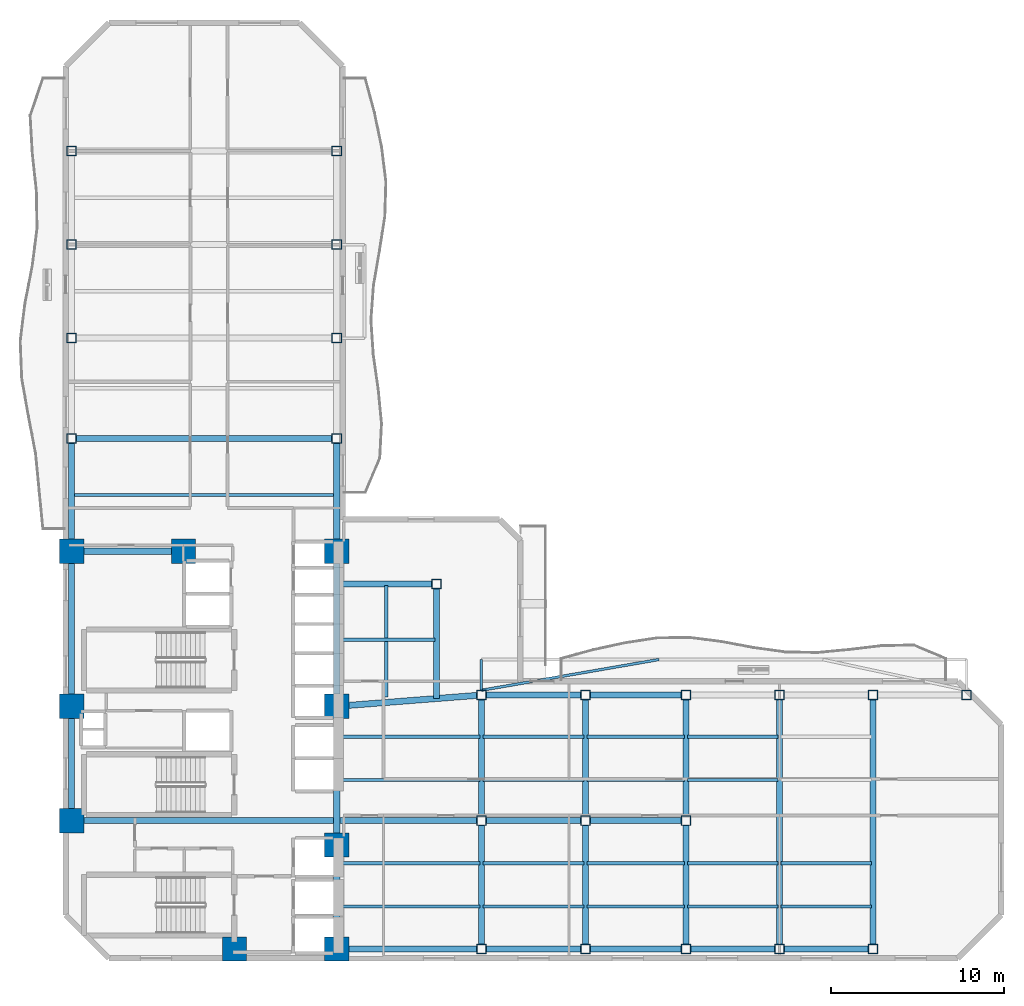
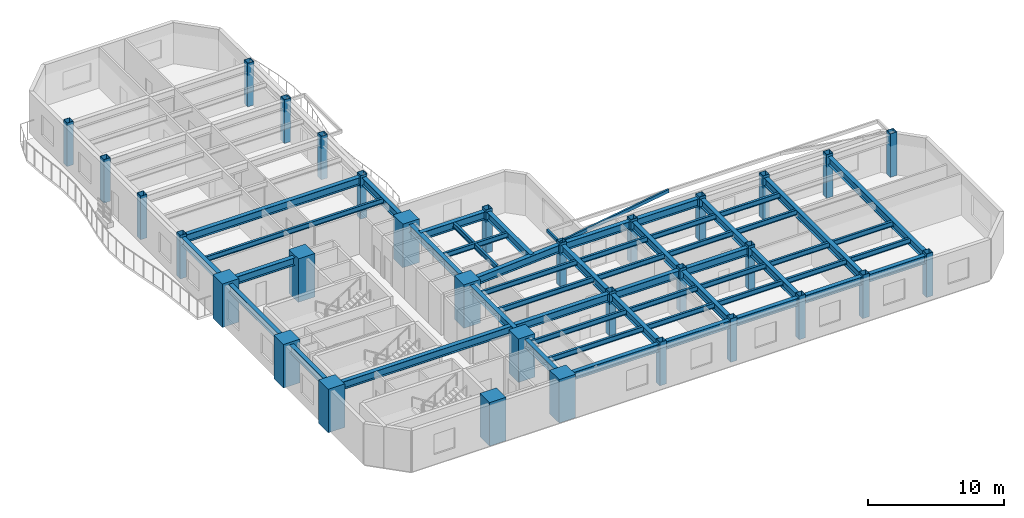
# One storey, part 1 of 11: 53 beams, 32 columns.
"""IFC4 building model written with IfcOpenShell, lengths in metres."""

from ifc_helpers import new_model, si_unit, direction, frame, origin, origin_2d, place, context, subcontext, project, spatial, rectangle, hollow_rectangle, i_section, extrude, material, material_profile, profile_set, type_object, element, save


model = new_model("IFC4")

# Units and contexts
model_context = context("Model", 3, precision=1e-05, world=origin(), true_north=direction((0.0, 1.0)))
body_context = subcontext(model_context, "Body", "Model", "MODEL_VIEW")
ifc_project = project(units=[si_unit("LENGTHUNIT", "METRE"), si_unit("AREAUNIT", "SQUARE_METRE"), si_unit("VOLUMEUNIT", "CUBIC_METRE"), si_unit("PLANEANGLEUNIT", "RADIAN"), si_unit("MASSUNIT", "GRAM", prefix="KILO")], contexts=[model_context])

# Site, building, storey
site_placement = place(None, origin())
site = spatial("IfcSite", under=ifc_project, at=site_placement, CompositionType="ELEMENT")
building_placement = place(site_placement, origin())
building = spatial("IfcBuilding", under=site, at=building_placement, Name="Mawjaban Terraces University", CompositionType="ELEMENT")
storey_placement = place(building_placement, frame((0.0, 0.0, 77.800048828125)))
storey = spatial("IfcBuildingStorey", under=building, at=storey_placement, Name="L18", CompositionType="ELEMENT", Elevation=77.800048828125)

# Columns
ifc_material_1 = material(Name="Concrete C70/85", Category="concrete")
ifc_material_profile_1 = material_profile(ifc_material_1, rectangle(XDim=1.39990234375, YDim=1.39990234375, at=origin_2d()), Name="RC1400X1400")
ifc_profile_set_1 = profile_set([ifc_material_profile_1], Name="Concrete C70/85")
column_type_1 = type_object("IfcColumnType", Name="Col_RC1400X1400", PredefinedType="COLUMN", material=ifc_profile_set_1)
for number, where, z_axis, x_axis, name in (
    (1, (31.75, 0.550048828125, 0.0), (0.0, 0.0, 1.0), (1.0, 0.0, 0.0), "L18 Column CC2"),
    (2, (37.64990234375, 0.550048828125, 0.0), (0.0, 0.0, 1.0), (1.0, 0.0, 0.0), "L18 Column CC3"),
    (3, (22.35009765625, 7.949951171875, 0.0), (0.0, 0.0, 1.0), (1.0, 0.0, 0.0), "L18 Column CC4"),
    (4, (37.64990234375, 6.550048828125, 0.0), (0.0, 0.0, 1.0), (1.0, 0.0, 0.0), "L18 Column CC5"),
    (5, (22.35009765625, 14.550048828125, 0.0), (0.0, 0.0, 1.0), (1.0, 0.0, 0.0), "L18 Column CC6"),
    (6, (37.64990234375, 14.550048828125, 0.0), (0.0, 0.0, 1.0), (1.0, 0.0, 0.0), "L18 Column CC7"),
    (7, (22.35009765625, 23.5, 0.0), (0.0, 0.0, 1.0), (1.0, 0.0, 0.0), "L18 Column CC8"),
    (8, (28.800048828125, 23.5, 0.0), (0.0, 0.0, 1.0), (1.0, 0.0, 0.0), "L18 Column CC9"),
    (9, (37.64990234375, 23.5, 0.0), (0.0, 0.0, 1.0), (1.0, 0.0, 0.0), "L18 Column CC10"),
):
    element("IfcColumn", number, at=place(storey_placement, frame(where, z_axis=z_axis, x_axis=x_axis)), inside=storey, type_object=column_type_1, Name=name, PredefinedType="COLUMN", context=body_context, shape_type="SweptSolid", body=[
        extrude(rectangle(XDim=1.39990234375, YDim=1.39990234375, at=origin_2d()), origin(), (0.0, 0.0, 1.0), 3.89990234375),
    ])
ifc_material_2 = material(Name="Steel EN 10210-1 S355J2H", Category="steel")
ifc_material_profile_2 = material_profile(ifc_material_2, hollow_rectangle(XDim=0.550048828125, YDim=0.550048828125, WallThickness=0.02490234375, at=origin_2d()), Name="SHS550X550X25")
ifc_profile_set_2 = profile_set([ifc_material_profile_2], Name="Steel EN 10210-1 S355J2H")
column_type_2 = type_object("IfcColumnType", Name="Col_SHS550X550X25", PredefinedType="COLUMN", material=ifc_profile_set_2)
for number, where, z_axis, x_axis, name in (
    (10, (46.0, 0.550048828125, 0.0), (0.0, 0.0, 1.0), (1.0, 0.0, 0.0), "L18 Column TE-460-005"),
    (11, (46.0, 7.949951171875, 0.0), (0.0, 0.0, 1.0), (1.0, 0.0, 0.0), "L18 Column TE-460-080"),
    (12, (46.0, 15.199951171875, 0.0), (0.0, 0.0, 1.0), (1.0, 0.0, 0.0), "L18 Column TE-460-152"),
    (13, (52.0, 0.550048828125, 0.0), (0.0, 0.0, 1.0), (1.0, 0.0, 0.0), "L18 Column TE-520-005"),
    (14, (52.0, 7.949951171875, 0.0), (0.0, 0.0, 1.0), (1.0, 0.0, 0.0), "L18 Column TE-520-080"),
    (15, (52.0, 15.199951171875, 0.0), (0.0, 0.0, 1.0), (1.0, 0.0, 0.0), "L18 Column TE-520-152"),
    (16, (57.800048828125, 0.550048828125, 0.0), (0.0, 0.0, 1.0), (1.0, 0.0, 0.0), "L18 Column TE-578-005"),
    (17, (57.800048828125, 7.949951171875, 0.0), (0.0, 0.0, 1.0), (1.0, 0.0, 0.0), "L18 Column TE-578-080"),
    (18, (57.800048828125, 15.199951171875, 0.0), (0.0, 0.0, 1.0), (1.0, 0.0, 0.0), "L18 Column TE-578-152"),
    (19, (63.199951171875, 0.550048828125, 0.0), (0.0, 0.0, 1.0), (1.0, 0.0, 0.0), "L18 Column TE-632-005"),
    (20, (63.199951171875, 15.199951171875, 0.0), (0.0, 0.0, 1.0), (1.0, 0.0, 0.0), "L18 Column TE-632-152"),
    (21, (68.60009765625, 0.550048828125, 0.0), (0.0, 0.0, 1.0), (1.0, 0.0, 0.0), "L18 Column TE-686-005"),
    (22, (68.60009765625, 15.199951171875, 0.0), (0.0, 0.0, 1.0), (1.0, 0.0, 0.0), "L18 Column TE-686-152"),
    (23, (74.0, 15.199951171875, 0.0), (0.0, 0.0, 1.0), (1.0, 0.0, 0.0), "L18 Column TE-740-152"),
    (24, (22.35009765625, 30.0, 0.0), (0.0, 0.0, 1.0), (1.0, 0.0, 0.0), "L18 Column TN-223-300"),
    (25, (37.64990234375, 30.0, 0.0), (0.0, 0.0, 1.0), (1.0, 0.0, 0.0), "L18 Column TN-376-300"),
    (26, (22.35009765625, 35.800048828125, 0.0), (0.0, 0.0, 1.0), (1.0, 0.0, 0.0), "L18 Column TN-223-358"),
    (27, (37.64990234375, 35.800048828125, 0.0), (0.0, 0.0, 1.0), (1.0, 0.0, 0.0), "L18 Column TN-376-358"),
    (28, (22.35009765625, 41.199951171875, 0.0), (0.0, 0.0, 1.0), (1.0, 0.0, 0.0), "L18 Column TN-223-412"),
    (29, (37.64990234375, 41.199951171875, 0.0), (0.0, 0.0, 1.0), (1.0, 0.0, 0.0), "L18 Column TN-376-412"),
    (30, (22.35009765625, 46.60009765625, 0.0), (0.0, 0.0, 1.0), (1.0, 0.0, 0.0), "L18 Column TN-223-466"),
    (31, (37.64990234375, 46.60009765625, 0.0), (0.0, 0.0, 1.0), (1.0, 0.0, 0.0), "L18 Column TN-376-466"),
    (32, (43.39990234375, 21.60009765625, 0.0), (0.0, 0.0, 1.0), (1.0, 0.0, 0.0), "L18 Column TS-434-216"),
):
    element("IfcColumn", number, at=place(storey_placement, frame(where, z_axis=z_axis, x_axis=x_axis)), inside=storey, type_object=column_type_2, Name=name, PredefinedType="COLUMN", context=body_context, shape_type="SweptSolid", body=[
        extrude(hollow_rectangle(XDim=0.550048828125, YDim=0.550048828125, WallThickness=0.02490234375, at=origin_2d()), origin(), (0.0, 0.0, 1.0), 3.89990234375),
    ])

# Beams
ifc_material_profile_3 = material_profile(ifc_material_2, hollow_rectangle(XDim=0.14990234375, YDim=0.300048828125, WallThickness=0.012451171875, at=origin_2d()), Name="RHS300X150X12.5")
ifc_profile_set_3 = profile_set([ifc_material_profile_3], Name="Steel EN 10210-1 S355J2H")
beam_type_1 = type_object("IfcBeamType", Name="BalconyCantileverSpandrel_RHS", PredefinedType="SPANDREL", material=ifc_profile_set_3)
beam_1_placement = place(storey_placement, frame((46.0, 15.47509765625, 3.5400390625), z_axis=(0.0, 1.0, 0.0), x_axis=(-1.0, 0.0, 0.0)))
element("IfcBeam", 33, at=beam_1_placement, inside=storey, type_object=beam_type_1, Name="L18 Exterior Outrigger BAL-L19-N.1", PredefinedType="SPANDREL", context=body_context, shape_type="SweptSolid", body=[
    extrude(hollow_rectangle(XDim=0.14990234375, YDim=0.300048828125, WallThickness=0.012451171875, at=origin_2d()), origin(), (0.0, 0.0, 1.0), 1.77490234375),
])
beam_2_placement = place(storey_placement, frame((46.0, 15.47509765625, 3.5400390625), z_axis=(0.985322873143, 0.170701012481, 0.0), x_axis=(-0.170701012481, 0.985322873143, 0.0)))
element("IfcBeam", 34, at=beam_2_placement, inside=storey, type_object=beam_type_1, Name="L18 Exterior Diagonal Strut BAL-L19-N.1", PredefinedType="SPANDREL", context=body_context, shape_type="SweptSolid", body=[
    extrude(hollow_rectangle(XDim=0.14990234375, YDim=0.300048828125, WallThickness=0.012451171875, at=origin_2d()), origin(), (0.0, 0.0, 1.0), 10.397705078125),
])
ifc_material_3 = material(Name="Steel ASTM A572 Grade 50", Category="steel")
ifc_material_profile_4 = material_profile(ifc_material_3, i_section(OverallWidth=0.35498046875, OverallDepth=0.695068359375, WebThickness=0.015380859375, FlangeThickness=0.02490234375, at=origin_2d()), Name="W690X217")
ifc_profile_set_4 = profile_set([ifc_material_profile_4], Name="Steel ASTM A572 Grade 50")
beam_type_2 = type_object("IfcBeamType", Name="Beam_B_W690X217", PredefinedType="BEAM", material=ifc_profile_set_4)
beam_3_placement = place(storey_placement, frame((38.35009765625, 0.550048828125, 3.342041015625), z_axis=(1.0, 0.0, 0.0), x_axis=(0.0, 1.0, 0.0)))
element("IfcBeam", 35, at=beam_3_placement, inside=storey, type_object=beam_type_2, Name="L18 Beam BM-L18-EW-01", PredefinedType="BEAM", context=body_context, shape_type="SweptSolid", body=[
    extrude(i_section(OverallWidth=0.35498046875, OverallDepth=0.695068359375, WebThickness=0.015380859375, FlangeThickness=0.02490234375, at=origin_2d()), origin(), (0.0, 0.0, 1.0), 7.375),
])
beam_4_placement = place(storey_placement, frame((46.27490234375, 0.550048828125, 3.342041015625), z_axis=(1.0, 0.0, 0.0), x_axis=(0.0, 1.0, 0.0)))
element("IfcBeam", 36, at=beam_4_placement, inside=storey, type_object=beam_type_2, Name="L18 Beam BM-L18-EW-02", PredefinedType="BEAM", context=body_context, shape_type="SweptSolid", body=[
    extrude(i_section(OverallWidth=0.35498046875, OverallDepth=0.695068359375, WebThickness=0.015380859375, FlangeThickness=0.02490234375, at=origin_2d()), origin(), (0.0, 0.0, 1.0), 5.4501953125),
])
beam_5_placement = place(storey_placement, frame((52.27490234375, 0.550048828125, 3.342041015625), z_axis=(1.0, 0.0, 0.0), x_axis=(0.0, 1.0, 0.0)))
element("IfcBeam", 37, at=beam_5_placement, inside=storey, type_object=beam_type_2, Name="L18 Beam BM-L18-EW-03", PredefinedType="BEAM", context=body_context, shape_type="SweptSolid", body=[
    extrude(i_section(OverallWidth=0.35498046875, OverallDepth=0.695068359375, WebThickness=0.015380859375, FlangeThickness=0.02490234375, at=origin_2d()), origin(), (0.0, 0.0, 1.0), 5.25),
])
beam_6_placement = place(storey_placement, frame((58.074951171875, 0.550048828125, 3.342041015625), z_axis=(1.0, 0.0, 0.0), x_axis=(0.0, 1.0, 0.0)))
element("IfcBeam", 38, at=beam_6_placement, inside=storey, type_object=beam_type_2, Name="L18 Beam BM-L18-EW-04", PredefinedType="BEAM", context=body_context, shape_type="SweptSolid", body=[
    extrude(i_section(OverallWidth=0.35498046875, OverallDepth=0.695068359375, WebThickness=0.015380859375, FlangeThickness=0.02490234375, at=origin_2d()), origin(), (0.0, 0.0, 1.0), 4.85009765625),
])
beam_7_placement = place(storey_placement, frame((63.47509765625, 0.550048828125, 3.342041015625), z_axis=(1.0, 0.0, 0.0), x_axis=(0.0, 1.0, 0.0)))
element("IfcBeam", 39, at=beam_7_placement, inside=storey, type_object=beam_type_2, Name="L18 Beam BM-L18-EW-05", PredefinedType="BEAM", context=body_context, shape_type="SweptSolid", body=[
    extrude(i_section(OverallWidth=0.35498046875, OverallDepth=0.695068359375, WebThickness=0.015380859375, FlangeThickness=0.02490234375, at=origin_2d()), origin(), (0.0, 0.0, 1.0), 4.849853515625),
])
beam_8_placement = place(storey_placement, frame((23.050048828125, 7.949951171875, 3.342041015625), z_axis=(1.0, 0.0, 0.0), x_axis=(0.0, 1.0, 0.0)))
element("IfcBeam", 40, at=beam_8_placement, inside=storey, type_object=beam_type_2, Name="L18 Beam BM-L18-EW-06", PredefinedType="BEAM", context=body_context, shape_type="SweptSolid", body=[
    extrude(i_section(OverallWidth=0.35498046875, OverallDepth=0.695068359375, WebThickness=0.015380859375, FlangeThickness=0.02490234375, at=origin_2d()), origin(), (0.0, 0.0, 1.0), 22.675048828125),
])
beam_9_placement = place(storey_placement, frame((46.27490234375, 7.949951171875, 3.342041015625), z_axis=(1.0, 0.0, 0.0), x_axis=(0.0, 1.0, 0.0)))
element("IfcBeam", 41, at=beam_9_placement, inside=storey, type_object=beam_type_2, Name="L18 Beam BM-L18-EW-07", PredefinedType="BEAM", context=body_context, shape_type="SweptSolid", body=[
    extrude(i_section(OverallWidth=0.35498046875, OverallDepth=0.695068359375, WebThickness=0.015380859375, FlangeThickness=0.02490234375, at=origin_2d()), origin(), (0.0, 0.0, 1.0), 5.4501953125),
])
beam_10_placement = place(storey_placement, frame((52.27490234375, 7.949951171875, 3.342041015625), z_axis=(1.0, 0.0, 0.0), x_axis=(0.0, 1.0, 0.0)))
element("IfcBeam", 42, at=beam_10_placement, inside=storey, type_object=beam_type_2, Name="L18 Beam BM-L18-EW-08", PredefinedType="BEAM", context=body_context, shape_type="SweptSolid", body=[
    extrude(i_section(OverallWidth=0.35498046875, OverallDepth=0.695068359375, WebThickness=0.015380859375, FlangeThickness=0.02490234375, at=origin_2d()), origin(), (0.0, 0.0, 1.0), 5.25),
])
beam_11_placement = place(storey_placement, frame((46.27490234375, 15.199951171875, 3.342041015625), z_axis=(1.0, 0.0, 0.0), x_axis=(0.0, 1.0, 0.0)))
element("IfcBeam", 43, at=beam_11_placement, inside=storey, type_object=beam_type_2, Name="L18 Beam BM-L18-EW-09", PredefinedType="BEAM", context=body_context, shape_type="SweptSolid", body=[
    extrude(i_section(OverallWidth=0.35498046875, OverallDepth=0.695068359375, WebThickness=0.015380859375, FlangeThickness=0.02490234375, at=origin_2d()), origin(), (0.0, 0.0, 1.0), 5.4501953125),
])
beam_12_placement = place(storey_placement, frame((52.27490234375, 15.199951171875, 3.342041015625), z_axis=(1.0, 0.0, 0.0), x_axis=(0.0, 1.0, 0.0)))
element("IfcBeam", 44, at=beam_12_placement, inside=storey, type_object=beam_type_2, Name="L18 Beam BM-L18-EW-10", PredefinedType="BEAM", context=body_context, shape_type="SweptSolid", body=[
    extrude(i_section(OverallWidth=0.35498046875, OverallDepth=0.695068359375, WebThickness=0.015380859375, FlangeThickness=0.02490234375, at=origin_2d()), origin(), (0.0, 0.0, 1.0), 5.25),
])
beam_13_placement = place(storey_placement, frame((23.050048828125, 23.5, 3.342041015625), z_axis=(1.0, 0.0, 0.0), x_axis=(0.0, 1.0, 0.0)))
element("IfcBeam", 45, at=beam_13_placement, inside=storey, type_object=beam_type_2, Name="L18 Beam BM-L18-EW-14", PredefinedType="BEAM", context=body_context, shape_type="SweptSolid", body=[
    extrude(i_section(OverallWidth=0.35498046875, OverallDepth=0.695068359375, WebThickness=0.015380859375, FlangeThickness=0.02490234375, at=origin_2d()), origin(), (0.0, 0.0, 1.0), 5.050048828125),
])
beam_14_placement = place(storey_placement, frame((22.625, 30.0, 3.342041015625), z_axis=(1.0, 0.0, 0.0), x_axis=(0.0, 1.0, 0.0)))
element("IfcBeam", 46, at=beam_14_placement, inside=storey, type_object=beam_type_2, Name="L18 Beam BM-L18-EW-15", PredefinedType="BEAM", context=body_context, shape_type="SweptSolid", body=[
    extrude(i_section(OverallWidth=0.35498046875, OverallDepth=0.695068359375, WebThickness=0.015380859375, FlangeThickness=0.02490234375, at=origin_2d()), origin(), (0.0, 0.0, 1.0), 14.75),
])
beam_15_placement = place(storey_placement, frame((22.35009765625, 8.64990234375, 3.342041015625), z_axis=(0.0, 1.0, 0.0), x_axis=(-1.0, 0.0, 0.0)))
element("IfcBeam", 47, at=beam_15_placement, inside=storey, type_object=beam_type_2, Name="L18 Beam BM-L18-NS-01", PredefinedType="BEAM", context=body_context, shape_type="SweptSolid", body=[
    extrude(i_section(OverallWidth=0.35498046875, OverallDepth=0.695068359375, WebThickness=0.015380859375, FlangeThickness=0.02490234375, at=origin_2d()), origin(), (0.0, 0.0, 1.0), 5.2001953125),
])
beam_16_placement = place(storey_placement, frame((22.35009765625, 15.25, 3.342041015625), z_axis=(0.0, 1.0, 0.0), x_axis=(-1.0, 0.0, 0.0)))
element("IfcBeam", 48, at=beam_16_placement, inside=storey, type_object=beam_type_2, Name="L18 Beam BM-L18-NS-02", PredefinedType="BEAM", context=body_context, shape_type="SweptSolid", body=[
    extrude(i_section(OverallWidth=0.35498046875, OverallDepth=0.695068359375, WebThickness=0.015380859375, FlangeThickness=0.02490234375, at=origin_2d()), origin(), (0.0, 0.0, 1.0), 7.550048828125),
])
beam_17_placement = place(storey_placement, frame((22.35009765625, 24.199951171875, 3.342041015625), z_axis=(0.0, 1.0, 0.0), x_axis=(-1.0, 0.0, 0.0)))
element("IfcBeam", 49, at=beam_17_placement, inside=storey, type_object=beam_type_2, Name="L18 Beam BM-L18-NS-03", PredefinedType="BEAM", context=body_context, shape_type="SweptSolid", body=[
    extrude(i_section(OverallWidth=0.35498046875, OverallDepth=0.695068359375, WebThickness=0.015380859375, FlangeThickness=0.02490234375, at=origin_2d()), origin(), (0.0, 0.0, 1.0), 5.525146484375),
])
beam_18_placement = place(storey_placement, frame((37.64990234375, 1.25, 3.342041015625), z_axis=(0.0, 1.0, 0.0), x_axis=(-1.0, 0.0, 0.0)))
element("IfcBeam", 50, at=beam_18_placement, inside=storey, type_object=beam_type_2, Name="L18 Beam BM-L18-NS-07", PredefinedType="BEAM", context=body_context, shape_type="SweptSolid", body=[
    extrude(i_section(OverallWidth=0.35498046875, OverallDepth=0.695068359375, WebThickness=0.015380859375, FlangeThickness=0.02490234375, at=origin_2d()), origin(), (0.0, 0.0, 1.0), 4.60009765625),
])
beam_19_placement = place(storey_placement, frame((37.64990234375, 7.25, 3.342041015625), z_axis=(0.0, 1.0, 0.0), x_axis=(-1.0, 0.0, 0.0)))
element("IfcBeam", 51, at=beam_19_placement, inside=storey, type_object=beam_type_2, Name="L18 Beam BM-L18-NS-08", PredefinedType="BEAM", context=body_context, shape_type="SweptSolid", body=[
    extrude(i_section(OverallWidth=0.35498046875, OverallDepth=0.695068359375, WebThickness=0.015380859375, FlangeThickness=0.02490234375, at=origin_2d()), origin(), (0.0, 0.0, 1.0), 6.60009765625),
])
beam_20_placement = place(storey_placement, frame((37.64990234375, 15.25, 3.342041015625), z_axis=(0.0, 1.0, 0.0), x_axis=(-1.0, 0.0, 0.0)))
element("IfcBeam", 52, at=beam_20_placement, inside=storey, type_object=beam_type_2, Name="L18 Beam BM-L18-NS-09", PredefinedType="BEAM", context=body_context, shape_type="SweptSolid", body=[
    extrude(i_section(OverallWidth=0.35498046875, OverallDepth=0.695068359375, WebThickness=0.015380859375, FlangeThickness=0.02490234375, at=origin_2d()), origin(), (0.0, 0.0, 1.0), 7.550048828125),
])
beam_21_placement = place(storey_placement, frame((37.64990234375, 24.199951171875, 3.342041015625), z_axis=(0.0, 1.0, 0.0), x_axis=(-1.0, 0.0, 0.0)))
element("IfcBeam", 53, at=beam_21_placement, inside=storey, type_object=beam_type_2, Name="L18 Beam BM-L18-NS-10", PredefinedType="BEAM", context=body_context, shape_type="SweptSolid", body=[
    extrude(i_section(OverallWidth=0.35498046875, OverallDepth=0.695068359375, WebThickness=0.015380859375, FlangeThickness=0.02490234375, at=origin_2d()), origin(), (0.0, 0.0, 1.0), 5.525146484375),
])
beam_22_placement = place(storey_placement, frame((46.0, 0.824951171875, 3.342041015625), z_axis=(0.0, 1.0, 0.0), x_axis=(-1.0, 0.0, 0.0)))
element("IfcBeam", 54, at=beam_22_placement, inside=storey, type_object=beam_type_2, Name="L18 Beam BM-L18-NS-14", PredefinedType="BEAM", context=body_context, shape_type="SweptSolid", body=[
    extrude(i_section(OverallWidth=0.35498046875, OverallDepth=0.695068359375, WebThickness=0.015380859375, FlangeThickness=0.02490234375, at=origin_2d()), origin(), (0.0, 0.0, 1.0), 6.85009765625),
])
beam_23_placement = place(storey_placement, frame((46.0, 8.22509765625, 3.342041015625), z_axis=(0.0, 1.0, 0.0), x_axis=(-1.0, 0.0, 0.0)))
element("IfcBeam", 55, at=beam_23_placement, inside=storey, type_object=beam_type_2, Name="L18 Beam BM-L18-NS-15", PredefinedType="BEAM", context=body_context, shape_type="SweptSolid", body=[
    extrude(i_section(OverallWidth=0.35498046875, OverallDepth=0.695068359375, WebThickness=0.015380859375, FlangeThickness=0.02490234375, at=origin_2d()), origin(), (0.0, 0.0, 1.0), 6.699951171875),
])
beam_24_placement = place(storey_placement, frame((52.0, 0.824951171875, 3.342041015625), z_axis=(0.0, 1.0, 0.0), x_axis=(-1.0, 0.0, 0.0)))
element("IfcBeam", 56, at=beam_24_placement, inside=storey, type_object=beam_type_2, Name="L18 Beam BM-L18-NS-16", PredefinedType="BEAM", context=body_context, shape_type="SweptSolid", body=[
    extrude(i_section(OverallWidth=0.35498046875, OverallDepth=0.695068359375, WebThickness=0.015380859375, FlangeThickness=0.02490234375, at=origin_2d()), origin(), (0.0, 0.0, 1.0), 6.85009765625),
])
beam_25_placement = place(storey_placement, frame((52.0, 8.22509765625, 3.342041015625), z_axis=(0.0, 1.0, 0.0), x_axis=(-1.0, 0.0, 0.0)))
element("IfcBeam", 57, at=beam_25_placement, inside=storey, type_object=beam_type_2, Name="L18 Beam BM-L18-NS-17", PredefinedType="BEAM", context=body_context, shape_type="SweptSolid", body=[
    extrude(i_section(OverallWidth=0.35498046875, OverallDepth=0.695068359375, WebThickness=0.015380859375, FlangeThickness=0.02490234375, at=origin_2d()), origin(), (0.0, 0.0, 1.0), 6.699951171875),
])
beam_26_placement = place(storey_placement, frame((57.800048828125, 0.824951171875, 3.342041015625), z_axis=(0.0, 1.0, 0.0), x_axis=(-1.0, 0.0, 0.0)))
element("IfcBeam", 58, at=beam_26_placement, inside=storey, type_object=beam_type_2, Name="L18 Beam BM-L18-NS-18", PredefinedType="BEAM", context=body_context, shape_type="SweptSolid", body=[
    extrude(i_section(OverallWidth=0.35498046875, OverallDepth=0.695068359375, WebThickness=0.015380859375, FlangeThickness=0.02490234375, at=origin_2d()), origin(), (0.0, 0.0, 1.0), 6.85009765625),
])
beam_27_placement = place(storey_placement, frame((57.800048828125, 8.22509765625, 3.342041015625), z_axis=(0.0, 1.0, 0.0), x_axis=(-1.0, 0.0, 0.0)))
element("IfcBeam", 59, at=beam_27_placement, inside=storey, type_object=beam_type_2, Name="L18 Beam BM-L18-NS-19", PredefinedType="BEAM", context=body_context, shape_type="SweptSolid", body=[
    extrude(i_section(OverallWidth=0.35498046875, OverallDepth=0.695068359375, WebThickness=0.015380859375, FlangeThickness=0.02490234375, at=origin_2d()), origin(), (0.0, 0.0, 1.0), 6.699951171875),
])
for number, where, z_axis, x_axis, name in (
    (60, (63.199951171875, 0.824951171875, 3.342041015625), (0.0, 1.0, 0.0), (-1.0, 0.0, 0.0), "L18 Beam BM-L18-NS-20"),
    (61, (68.60009765625, 0.824951171875, 3.342041015625), (0.0, 1.0, 0.0), (-1.0, 0.0, 0.0), "L18 Beam BM-L18-NS-21"),
):
    element("IfcBeam", number, at=place(storey_placement, frame(where, z_axis=z_axis, x_axis=x_axis)), inside=storey, type_object=beam_type_2, Name=name, PredefinedType="BEAM", context=body_context, shape_type="SweptSolid", body=[
        extrude(i_section(OverallWidth=0.35498046875, OverallDepth=0.695068359375, WebThickness=0.015380859375, FlangeThickness=0.02490234375, at=origin_2d()), origin(), (0.0, 0.0, 1.0), 14.10009765625),
    ])
beam_28_placement = place(storey_placement, frame((38.347900390625, 14.60400390625, 3.342041015625), z_axis=(0.996977531908, 0.077690416851, 0.0), x_axis=(-0.077690416851, 0.996977531908, 0.0)))
element("IfcBeam", 62, at=beam_28_placement, inside=storey, type_object=beam_type_2, Name="L18 Beam BM-L18-CTIE", PredefinedType="BEAM", context=body_context, shape_type="SweptSolid", body=[
    extrude(i_section(OverallWidth=0.35498046875, OverallDepth=0.695068359375, WebThickness=0.015380859375, FlangeThickness=0.02490234375, at=origin_2d()), origin(), (0.0, 0.0, 1.0), 7.400634765625),
])
beam_29_placement = place(storey_placement, frame((37.679931640625, 21.60009765625, 3.342041015625), z_axis=(1.0, 0.0, 0.0), x_axis=(0.0, 1.0, 0.0)))
element("IfcBeam", 63, at=beam_29_placement, inside=storey, type_object=beam_type_2, Name="L18 Spur Tie Girder West", PredefinedType="BEAM", context=body_context, shape_type="SweptSolid", body=[
    extrude(i_section(OverallWidth=0.35498046875, OverallDepth=0.695068359375, WebThickness=0.015380859375, FlangeThickness=0.02490234375, at=origin_2d()), origin(), (0.0, 0.0, 1.0), 5.445068359375),
])
beam_30_placement = place(storey_placement, frame((43.39990234375, 15.0, 3.342041015625), z_axis=(0.0, 1.0, 0.0), x_axis=(-1.0, 0.0, 0.0)))
element("IfcBeam", 64, at=beam_30_placement, inside=storey, type_object=beam_type_2, Name="L18 Spur Tie Girder South", PredefinedType="BEAM", context=body_context, shape_type="SweptSolid", body=[
    extrude(i_section(OverallWidth=0.35498046875, OverallDepth=0.695068359375, WebThickness=0.015380859375, FlangeThickness=0.02490234375, at=origin_2d()), origin(), (0.0, 0.0, 1.0), 6.324951171875),
])
ifc_material_profile_5 = material_profile(ifc_material_3, i_section(OverallWidth=0.19189453125, OverallDepth=0.462890625, WebThickness=0.010498046875, FlangeThickness=0.017578125, at=origin_2d()), Name="W460X89")
ifc_profile_set_5 = profile_set([ifc_material_profile_5], Name="Steel ASTM A572 Grade 50")
beam_type_3 = type_object("IfcBeamType", Name="Beam_J_W460X89", PredefinedType="JOIST", material=ifc_profile_set_5)
beam_31_placement = place(storey_placement, frame((37.72998046875, 3.0, 3.4580078125), z_axis=(1.0, 0.0, 0.0), x_axis=(0.0, 1.0, 0.0)))
element("IfcBeam", 65, at=beam_31_placement, inside=storey, type_object=beam_type_3, Name="L18 Composite Joist JST-L18-01", PredefinedType="JOIST", context=body_context, shape_type="SweptSolid", body=[
    extrude(i_section(OverallWidth=0.19189453125, OverallDepth=0.462890625, WebThickness=0.010498046875, FlangeThickness=0.017578125, at=origin_2d()), origin(), (0.0, 0.0, 1.0), 8.18994140625),
])
beam_32_placement = place(storey_placement, frame((46.080078125, 3.0, 3.4580078125), z_axis=(1.0, 0.0, 0.0), x_axis=(0.0, 1.0, 0.0)))
element("IfcBeam", 66, at=beam_32_placement, inside=storey, type_object=beam_type_3, Name="L18 Composite Joist JST-L18-02", PredefinedType="JOIST", context=body_context, shape_type="SweptSolid", body=[
    extrude(i_section(OverallWidth=0.19189453125, OverallDepth=0.462890625, WebThickness=0.010498046875, FlangeThickness=0.017578125, at=origin_2d()), origin(), (0.0, 0.0, 1.0), 5.83984375),
])
beam_33_placement = place(storey_placement, frame((52.080078125, 3.0, 3.4580078125), z_axis=(1.0, 0.0, 0.0), x_axis=(0.0, 1.0, 0.0)))
element("IfcBeam", 67, at=beam_33_placement, inside=storey, type_object=beam_type_3, Name="L18 Composite Joist JST-L18-03", PredefinedType="JOIST", context=body_context, shape_type="SweptSolid", body=[
    extrude(i_section(OverallWidth=0.19189453125, OverallDepth=0.462890625, WebThickness=0.010498046875, FlangeThickness=0.017578125, at=origin_2d()), origin(), (0.0, 0.0, 1.0), 5.639892578125),
])
beam_34_placement = place(storey_placement, frame((57.8798828125, 3.0, 3.4580078125), z_axis=(1.0, 0.0, 0.0), x_axis=(0.0, 1.0, 0.0)))
element("IfcBeam", 68, at=beam_34_placement, inside=storey, type_object=beam_type_3, Name="L18 Composite Joist JST-L18-04", PredefinedType="JOIST", context=body_context, shape_type="SweptSolid", body=[
    extrude(i_section(OverallWidth=0.19189453125, OverallDepth=0.462890625, WebThickness=0.010498046875, FlangeThickness=0.017578125, at=origin_2d()), origin(), (0.0, 0.0, 1.0), 5.240234375),
])
beam_35_placement = place(storey_placement, frame((63.280029296875, 3.0, 3.4580078125), z_axis=(1.0, 0.0, 0.0), x_axis=(0.0, 1.0, 0.0)))
element("IfcBeam", 69, at=beam_35_placement, inside=storey, type_object=beam_type_3, Name="L18 Composite Joist JST-L18-05", PredefinedType="JOIST", context=body_context, shape_type="SweptSolid", body=[
    extrude(i_section(OverallWidth=0.19189453125, OverallDepth=0.462890625, WebThickness=0.010498046875, FlangeThickness=0.017578125, at=origin_2d()), origin(), (0.0, 0.0, 1.0), 5.239990234375),
])
beam_36_placement = place(storey_placement, frame((37.72998046875, 5.5, 3.4580078125), z_axis=(1.0, 0.0, 0.0), x_axis=(0.0, 1.0, 0.0)))
element("IfcBeam", 70, at=beam_36_placement, inside=storey, type_object=beam_type_3, Name="L18 Composite Joist JST-L18-06", PredefinedType="JOIST", context=body_context, shape_type="SweptSolid", body=[
    extrude(i_section(OverallWidth=0.19189453125, OverallDepth=0.462890625, WebThickness=0.010498046875, FlangeThickness=0.017578125, at=origin_2d()), origin(), (0.0, 0.0, 1.0), 8.18994140625),
])
beam_37_placement = place(storey_placement, frame((46.080078125, 5.5, 3.4580078125), z_axis=(1.0, 0.0, 0.0), x_axis=(0.0, 1.0, 0.0)))
element("IfcBeam", 71, at=beam_37_placement, inside=storey, type_object=beam_type_3, Name="L18 Composite Joist JST-L18-07", PredefinedType="JOIST", context=body_context, shape_type="SweptSolid", body=[
    extrude(i_section(OverallWidth=0.19189453125, OverallDepth=0.462890625, WebThickness=0.010498046875, FlangeThickness=0.017578125, at=origin_2d()), origin(), (0.0, 0.0, 1.0), 5.83984375),
])
beam_38_placement = place(storey_placement, frame((52.080078125, 5.5, 3.4580078125), z_axis=(1.0, 0.0, 0.0), x_axis=(0.0, 1.0, 0.0)))
element("IfcBeam", 72, at=beam_38_placement, inside=storey, type_object=beam_type_3, Name="L18 Composite Joist JST-L18-08", PredefinedType="JOIST", context=body_context, shape_type="SweptSolid", body=[
    extrude(i_section(OverallWidth=0.19189453125, OverallDepth=0.462890625, WebThickness=0.010498046875, FlangeThickness=0.017578125, at=origin_2d()), origin(), (0.0, 0.0, 1.0), 5.639892578125),
])
beam_39_placement = place(storey_placement, frame((57.8798828125, 5.5, 3.4580078125), z_axis=(1.0, 0.0, 0.0), x_axis=(0.0, 1.0, 0.0)))
element("IfcBeam", 73, at=beam_39_placement, inside=storey, type_object=beam_type_3, Name="L18 Composite Joist JST-L18-09", PredefinedType="JOIST", context=body_context, shape_type="SweptSolid", body=[
    extrude(i_section(OverallWidth=0.19189453125, OverallDepth=0.462890625, WebThickness=0.010498046875, FlangeThickness=0.017578125, at=origin_2d()), origin(), (0.0, 0.0, 1.0), 5.240234375),
])
beam_40_placement = place(storey_placement, frame((63.280029296875, 5.5, 3.4580078125), z_axis=(1.0, 0.0, 0.0), x_axis=(0.0, 1.0, 0.0)))
element("IfcBeam", 74, at=beam_40_placement, inside=storey, type_object=beam_type_3, Name="L18 Composite Joist JST-L18-10", PredefinedType="JOIST", context=body_context, shape_type="SweptSolid", body=[
    extrude(i_section(OverallWidth=0.19189453125, OverallDepth=0.462890625, WebThickness=0.010498046875, FlangeThickness=0.017578125, at=origin_2d()), origin(), (0.0, 0.0, 1.0), 5.239990234375),
])
beam_41_placement = place(storey_placement, frame((37.72998046875, 10.300048828125, 3.4580078125), z_axis=(1.0, 0.0, 0.0), x_axis=(0.0, 1.0, 0.0)))
element("IfcBeam", 75, at=beam_41_placement, inside=storey, type_object=beam_type_3, Name="L18 Composite Joist JST-L18-11", PredefinedType="JOIST", context=body_context, shape_type="SweptSolid", body=[
    extrude(i_section(OverallWidth=0.19189453125, OverallDepth=0.462890625, WebThickness=0.010498046875, FlangeThickness=0.017578125, at=origin_2d()), origin(), (0.0, 0.0, 1.0), 8.18994140625),
])
beam_42_placement = place(storey_placement, frame((46.080078125, 10.300048828125, 3.4580078125), z_axis=(1.0, 0.0, 0.0), x_axis=(0.0, 1.0, 0.0)))
element("IfcBeam", 76, at=beam_42_placement, inside=storey, type_object=beam_type_3, Name="L18 Composite Joist JST-L18-12", PredefinedType="JOIST", context=body_context, shape_type="SweptSolid", body=[
    extrude(i_section(OverallWidth=0.19189453125, OverallDepth=0.462890625, WebThickness=0.010498046875, FlangeThickness=0.017578125, at=origin_2d()), origin(), (0.0, 0.0, 1.0), 5.83984375),
])
beam_43_placement = place(storey_placement, frame((52.080078125, 10.300048828125, 3.4580078125), z_axis=(1.0, 0.0, 0.0), x_axis=(0.0, 1.0, 0.0)))
element("IfcBeam", 77, at=beam_43_placement, inside=storey, type_object=beam_type_3, Name="L18 Composite Joist JST-L18-13", PredefinedType="JOIST", context=body_context, shape_type="SweptSolid", body=[
    extrude(i_section(OverallWidth=0.19189453125, OverallDepth=0.462890625, WebThickness=0.010498046875, FlangeThickness=0.017578125, at=origin_2d()), origin(), (0.0, 0.0, 1.0), 5.639892578125),
])
beam_44_placement = place(storey_placement, frame((57.8798828125, 10.300048828125, 3.4580078125), z_axis=(1.0, 0.0, 0.0), x_axis=(0.0, 1.0, 0.0)))
element("IfcBeam", 78, at=beam_44_placement, inside=storey, type_object=beam_type_3, Name="L18 Composite Joist JST-L18-14", PredefinedType="JOIST", context=body_context, shape_type="SweptSolid", body=[
    extrude(i_section(OverallWidth=0.19189453125, OverallDepth=0.462890625, WebThickness=0.010498046875, FlangeThickness=0.017578125, at=origin_2d()), origin(), (0.0, 0.0, 1.0), 5.240234375),
])
beam_45_placement = place(storey_placement, frame((37.72998046875, 12.800048828125, 3.4580078125), z_axis=(1.0, 0.0, 0.0), x_axis=(0.0, 1.0, 0.0)))
element("IfcBeam", 79, at=beam_45_placement, inside=storey, type_object=beam_type_3, Name="L18 Composite Joist JST-L18-16", PredefinedType="JOIST", context=body_context, shape_type="SweptSolid", body=[
    extrude(i_section(OverallWidth=0.19189453125, OverallDepth=0.462890625, WebThickness=0.010498046875, FlangeThickness=0.017578125, at=origin_2d()), origin(), (0.0, 0.0, 1.0), 8.18994140625),
])
beam_46_placement = place(storey_placement, frame((46.080078125, 12.800048828125, 3.4580078125), z_axis=(1.0, 0.0, 0.0), x_axis=(0.0, 1.0, 0.0)))
element("IfcBeam", 80, at=beam_46_placement, inside=storey, type_object=beam_type_3, Name="L18 Composite Joist JST-L18-17", PredefinedType="JOIST", context=body_context, shape_type="SweptSolid", body=[
    extrude(i_section(OverallWidth=0.19189453125, OverallDepth=0.462890625, WebThickness=0.010498046875, FlangeThickness=0.017578125, at=origin_2d()), origin(), (0.0, 0.0, 1.0), 5.83984375),
])
beam_47_placement = place(storey_placement, frame((52.080078125, 12.800048828125, 3.4580078125), z_axis=(1.0, 0.0, 0.0), x_axis=(0.0, 1.0, 0.0)))
element("IfcBeam", 81, at=beam_47_placement, inside=storey, type_object=beam_type_3, Name="L18 Composite Joist JST-L18-18", PredefinedType="JOIST", context=body_context, shape_type="SweptSolid", body=[
    extrude(i_section(OverallWidth=0.19189453125, OverallDepth=0.462890625, WebThickness=0.010498046875, FlangeThickness=0.017578125, at=origin_2d()), origin(), (0.0, 0.0, 1.0), 5.639892578125),
])
beam_48_placement = place(storey_placement, frame((57.8798828125, 12.800048828125, 3.4580078125), z_axis=(1.0, 0.0, 0.0), x_axis=(0.0, 1.0, 0.0)))
element("IfcBeam", 82, at=beam_48_placement, inside=storey, type_object=beam_type_3, Name="L18 Composite Joist JST-L18-19", PredefinedType="JOIST", context=body_context, shape_type="SweptSolid", body=[
    extrude(i_section(OverallWidth=0.19189453125, OverallDepth=0.462890625, WebThickness=0.010498046875, FlangeThickness=0.017578125, at=origin_2d()), origin(), (0.0, 0.0, 1.0), 5.240234375),
])
beam_49_placement = place(storey_placement, frame((37.72998046875, 18.39990234375, 3.4580078125), z_axis=(1.0, 0.0, 0.0), x_axis=(0.0, 1.0, 0.0)))
element("IfcBeam", 83, at=beam_49_placement, inside=storey, type_object=beam_type_3, Name="L18 Composite Joist JST-L18-21", PredefinedType="JOIST", context=body_context, shape_type="SweptSolid", body=[
    extrude(i_section(OverallWidth=0.19189453125, OverallDepth=0.462890625, WebThickness=0.010498046875, FlangeThickness=0.017578125, at=origin_2d()), origin(), (0.0, 0.0, 1.0), 5.590087890625),
])
beam_50_placement = place(storey_placement, frame((22.429931640625, 26.75, 3.4580078125), z_axis=(1.0, 0.0, 0.0), x_axis=(0.0, 1.0, 0.0)))
element("IfcBeam", 84, at=beam_50_placement, inside=storey, type_object=beam_type_3, Name="L18 Composite Joist JST-L18-22", PredefinedType="JOIST", context=body_context, shape_type="SweptSolid", body=[
    extrude(i_section(OverallWidth=0.19189453125, OverallDepth=0.462890625, WebThickness=0.010498046875, FlangeThickness=0.017578125, at=origin_2d()), origin(), (0.0, 0.0, 1.0), 15.14013671875),
])
beam_51_placement = place(storey_placement, frame((40.5, 15.080078125, 3.4580078125), z_axis=(0.0, 1.0, 0.0), x_axis=(-1.0, 0.0, 0.0)))
element("IfcBeam", 85, at=beam_51_placement, inside=storey, type_object=beam_type_3, Name="L18 Composite Joist JST-L18-NS-26", PredefinedType="JOIST", context=body_context, shape_type="SweptSolid", body=[
    extrude(i_section(OverallWidth=0.19189453125, OverallDepth=0.462890625, WebThickness=0.010498046875, FlangeThickness=0.017578125, at=origin_2d()), origin(), (0.0, 0.0, 1.0), 6.43994140625),
])

save(model, "model.ifc")
